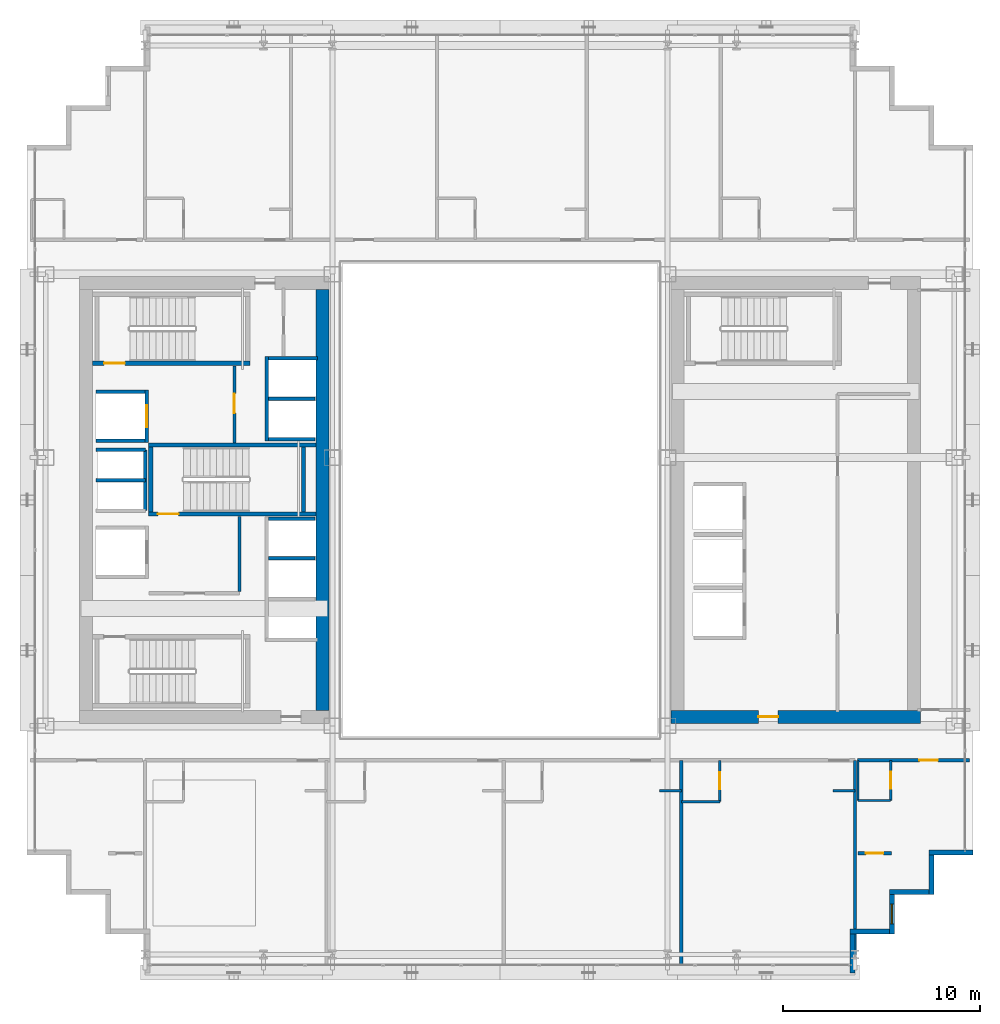
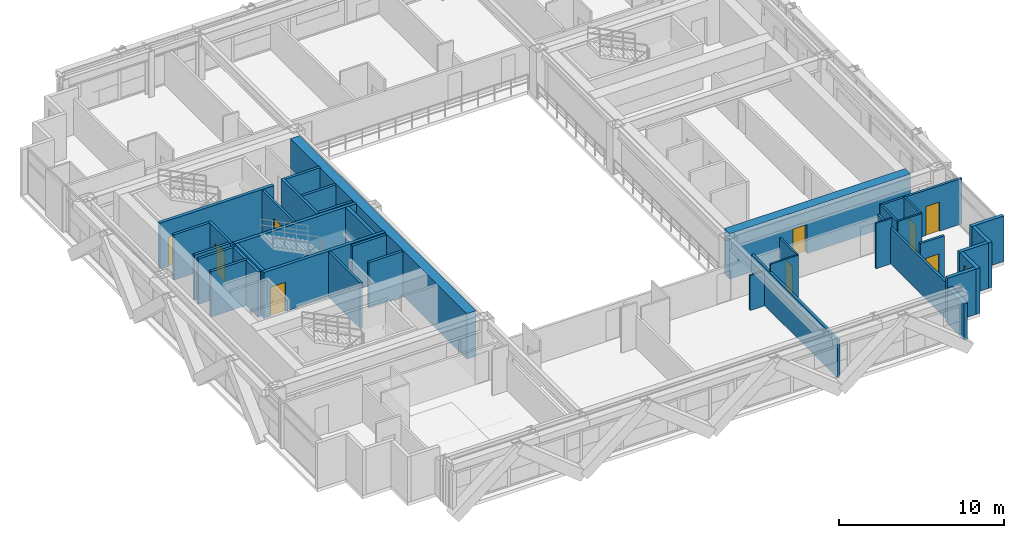
# One storey, part 28 of 34: 38 walls, 9 doors, 1 window, 10 openings.
"""IFC4 building model written with IfcOpenShell, lengths in metres."""

import ifcopenshell
import ifcopenshell.guid

model = None  # the IFC model being written
_history = None  # IfcOwnerHistory: only IFC2X3 demands one
_inside = {}  # id of a spatial element -> (the spatial element, [elements in it])
_under = {}  # id of a project, library or spatial element -> (it, [spatial elements below it])
_declared = {}  # id of a project -> (the project, [libraries it declares])
_typed = {}  # id of a type object -> (the type object, [elements of that type])
_made_of = {}  # id of a material, layer set ... -> (it, [elements and type objects made of it])


def new_model(schema):
    """Start an empty IFC model of exactly this schema.

    Asked for "IFC4X3", IfcOpenShell would pick the latest addendum, in which some entities
    have other attributes; the version numbers below select the first issue.
    IFC2X3 requires an IfcOwnerHistory on every rooted entity: one is made here for all.
    """
    global model, _history
    if schema == "IFC4X3":
        model = ifcopenshell.file(schema_version=(4, 3, 0, 0))
    else:
        model = ifcopenshell.file(schema=schema)
    _inside.clear()
    _under.clear()
    _declared.clear()
    _typed.clear()
    _made_of.clear()
    _history = None
    if model.schema == "IFC2X3":
        org = make("IfcOrganization", Name="unknown")
        user = make(
            "IfcPersonAndOrganization",
            ThePerson=make("IfcPerson", FamilyName="unknown"),
            TheOrganization=org,
        )
        app = make(
            "IfcApplication",
            ApplicationDeveloper=org,
            Version="unknown",
            ApplicationFullName="unknown",
            ApplicationIdentifier="unknown",
        )
        _history = make(
            "IfcOwnerHistory",
            OwningUser=user,
            OwningApplication=app,
            ChangeAction="ADDED",
            CreationDate=0,
        )
    return model


def make(cls, **values):
    """One entity of the class cls with the attributes given. An attribute that is None is left unset."""
    return model.create_entity(
        cls, **{name: value for name, value in values.items() if value is not None}
    )


def rooted(cls, **values):
    """An entity with a GlobalId (a new one), such as an element, a storey or a relation."""
    return make(cls, GlobalId=ifcopenshell.guid.new(), OwnerHistory=_history, **values)


def si_unit(unit_type, name, prefix=None):
    """IfcSIUnit, for example si_unit("LENGTHUNIT", "METRE", prefix="MILLI")."""
    return make("IfcSIUnit", UnitType=unit_type, Prefix=prefix, Name=name)


def assignment(units):
    """IfcUnitAssignment: the units of a project."""
    return None if units is None else make("IfcUnitAssignment", Units=units)


def point(xyz):
    """IfcCartesianPoint."""
    return None if xyz is None else make("IfcCartesianPoint", Coordinates=xyz)


def direction(xyz):
    """IfcDirection."""
    return None if xyz is None else make("IfcDirection", DirectionRatios=xyz)


def frame(location, z_axis=None, x_axis=None):
    """IfcAxis2Placement3D, a coordinate frame: its origin and axes. An axis left out is left unset."""
    return make(
        "IfcAxis2Placement3D",
        Location=point(location),
        Axis=direction(z_axis),
        RefDirection=direction(x_axis),
    )


def frame_2d(location, x_axis=None):
    """IfcAxis2Placement2D, a coordinate frame in the plane: its origin and x axis."""
    return make(
        "IfcAxis2Placement2D", Location=point(location), RefDirection=direction(x_axis)
    )


def origin():
    """The frame at (0, 0, 0) with its axes left unset."""
    return frame((0.0, 0.0, 0.0))


def place(relative_to, where):
    """IfcLocalPlacement: puts the frame where relative to a parent placement (None: the world)."""
    return make(
        "IfcLocalPlacement", PlacementRelTo=relative_to, RelativePlacement=where
    )


def context(
    kind, dimensions, precision=None, world=None, true_north=None, identifier=None
):
    """IfcGeometricRepresentationContext, for example the 3D "Model" context."""
    return make(
        "IfcGeometricRepresentationContext",
        ContextIdentifier=identifier,
        ContextType=kind,
        CoordinateSpaceDimension=dimensions,
        Precision=precision,
        WorldCoordinateSystem=world,
        TrueNorth=true_north,
    )


def subcontext(parent, identifier, kind, view, scale=None):
    """IfcGeometricRepresentationSubContext, for example "Body" below "Model"."""
    return make(
        "IfcGeometricRepresentationSubContext",
        ContextIdentifier=identifier,
        ContextType=kind,
        ParentContext=parent,
        TargetScale=scale,
        TargetView=view,
    )


def project(units=None, contexts=None):
    """IfcProject with its units and contexts."""
    return rooted(
        "IfcProject",
        Name="project",
        RepresentationContexts=contexts,
        UnitsInContext=assignment(units),
    )


def spatial(cls, under=None, at=None, **own):
    """A site, building, storey or space (cls), placed at a placement, below another one or the project."""
    s = rooted(cls, ObjectPlacement=at, **own)
    if under is not None:
        _under.setdefault(under.id(), (under, []))[1].append(s)
    return s


def profile(cls, at=None, kind="AREA", **sizes):
    """A parametric profile (cls). Its sizes go by their IFC names, for example OverallWidth=200.0."""
    return make(cls, ProfileType=kind, Position=at, **sizes)


def rectangle(**sizes):
    """IfcRectangleProfileDef."""
    return profile("IfcRectangleProfileDef", **sizes)


def extrude(swept, where, along, depth):
    """IfcExtrudedAreaSolid: the profile swept, set in the frame where, extruded along a direction by depth."""
    return make(
        "IfcExtrudedAreaSolid",
        SweptArea=swept,
        Position=where,
        ExtrudedDirection=direction(along),
        Depth=depth,
    )


def shape(context_of_items, identifier, shape_type, items):
    """IfcShapeRepresentation: the items that make up one representation, for example the "Body"."""
    return make(
        "IfcShapeRepresentation",
        ContextOfItems=context_of_items,
        RepresentationIdentifier=identifier,
        RepresentationType=shape_type,
        Items=items,
    )


def source(mapping_origin, context_of_items, identifier, shape_type, items):
    """IfcRepresentationMap: a shape defined once, which mapped items show again and again."""
    return make(
        "IfcRepresentationMap",
        MappingOrigin=mapping_origin,
        MappedRepresentation=shape(context_of_items, identifier, shape_type, items),
    )


def transform(
    local_origin,
    x_axis=None,
    y_axis=None,
    z_axis=None,
    scale=None,
    scale2=None,
    scale3=None,
    uniform=True,
):
    """IfcCartesianTransformationOperator3D, or its non-uniform kind. x_axis, y_axis, z_axis: its Axis1, 2, 3."""
    if uniform:
        return make(
            "IfcCartesianTransformationOperator3D",
            Axis1=direction(x_axis),
            Axis2=direction(y_axis),
            LocalOrigin=point(local_origin),
            Scale=scale,
            Axis3=direction(z_axis),
        )
    return make(
        "IfcCartesianTransformationOperator3DnonUniform",
        Axis1=direction(x_axis),
        Axis2=direction(y_axis),
        LocalOrigin=point(local_origin),
        Scale=scale,
        Axis3=direction(z_axis),
        Scale2=scale2,
        Scale3=scale3,
    )


def mapped(mapping_source, mapping_target):
    """IfcMappedItem: shows the shape of a source again, moved by a transform."""
    return make(
        "IfcMappedItem", MappingSource=mapping_source, MappingTarget=mapping_target
    )


def material(Name=None, Category=None):
    """IfcMaterial."""
    return make("IfcMaterial", Name=Name, Category=Category)


def layer(
    of_material, thickness, ventilated=None, Name=None, Category=None, Priority=None
):
    """IfcMaterialLayer: one layer of a wall or slab, of a material (None: an air gap)."""
    return make(
        "IfcMaterialLayer",
        Material=of_material,
        LayerThickness=thickness,
        IsVentilated=ventilated,
        Name=Name,
        Category=Category,
        Priority=Priority,
    )


def layer_set(layers, Name=None):
    """IfcMaterialLayerSet."""
    return make("IfcMaterialLayerSet", MaterialLayers=layers, LayerSetName=Name)


def made_of(thing, what):
    """Note that an element or type object is made of a material, layer set ...; save() writes the relation."""
    if what is not None:
        _made_of.setdefault(what.id(), (what, []))[1].append(thing)
    return thing


def type_object(cls, material=None, **own):
    """A type object (cls), such as IfcWallType, which elements share."""
    return made_of(rooted(cls, **own), material)


def element(
    cls,
    number,
    at=None,
    inside=None,
    cuts=None,
    type_object=None,
    material=None,
    context=None,
    identifier="Body",
    shape_type=None,
    held_by="IfcProductDefinitionShape",
    body=None,
    shapes=None,
    **own,
):
    """One element of the class cls, such as IfcWall. Its Tag is "e" and its number.

    at: its placement. inside: the storey or other place that contains it. cuts: it is an
    opening in that element (IfcRelVoidsElement). A single representation is given by context,
    identifier, shape_type and body (its items); several are given by shapes. held_by: the class
    of the entity that holds the representations. save() writes the other relations.
    """
    e = rooted(cls, Tag="e%d" % number, ObjectPlacement=at, **own)
    if body is not None:
        shapes = [shape(context, identifier, shape_type, body)]
    if shapes is not None:
        e.Representation = make(held_by, Representations=shapes)
    if inside is not None:
        _inside.setdefault(inside.id(), (inside, []))[1].append(e)
    if cuts is not None:
        rooted(
            "IfcRelVoidsElement", RelatingBuildingElement=cuts, RelatedOpeningElement=e
        )
    if type_object is not None:
        _typed.setdefault(type_object.id(), (type_object, []))[1].append(e)
    return made_of(e, material)


def fill(opening, filler):
    """IfcRelFillsElement: the door or window that sits in an opening."""
    return rooted(
        "IfcRelFillsElement",
        RelatingOpeningElement=opening,
        RelatedBuildingElement=filler,
    )


def aggregate(whole, parts):
    """IfcRelAggregates: a whole, such as a stair, and the parts it consists of."""
    return rooted("IfcRelAggregates", RelatingObject=whole, RelatedObjects=parts)


def save(model, path):
    """Write the relations noted so far, then the file.

    IfcRelAggregates (storeys below a building ...), IfcRelContainedInSpatialStructure (elements
    in a storey), IfcRelDefinesByType, IfcRelAssociatesMaterial and IfcRelDeclares: one each for
    every whole, place, type object, material and project.
    """
    for whole, parts in _under.values():
        aggregate(whole, parts)
    for where, things in _inside.values():
        rooted(
            "IfcRelContainedInSpatialStructure",
            RelatedElements=things,
            RelatingStructure=where,
        )
    for kind, things in _typed.values():
        rooted("IfcRelDefinesByType", RelatedObjects=things, RelatingType=kind)
    for what, things in _made_of.values():
        rooted("IfcRelAssociatesMaterial", RelatedObjects=things, RelatingMaterial=what)
    for by, libraries in _declared.values():
        rooted("IfcRelDeclares", RelatingContext=by, RelatedDefinitions=libraries)
    model.write(path)


model = new_model("IFC4")

# Units and contexts
model_context = context("Model", 3, precision=1e-05, world=origin(), true_north=direction((0.0, 1.0)))
body_context = subcontext(model_context, "Body", "Model", "MODEL_VIEW")
ifc_project = project(units=[si_unit("LENGTHUNIT", "METRE"), si_unit("AREAUNIT", "SQUARE_METRE"), si_unit("VOLUMEUNIT", "CUBIC_METRE"), si_unit("PLANEANGLEUNIT", "RADIAN"), si_unit("MASSUNIT", "GRAM", prefix="KILO")], contexts=[model_context])

# Site, building, storey
site_placement = place(None, origin())
site = spatial("IfcSite", under=ifc_project, at=site_placement, CompositionType="ELEMENT")
building_placement = place(site_placement, origin())
building = spatial("IfcBuilding", under=site, at=building_placement, Name="Ocotamira Hotel", CompositionType="ELEMENT")
storey_placement = place(building_placement, frame((0.0, 0.0, 111.60009765625)))
storey = spatial("IfcBuildingStorey", under=building, at=storey_placement, Name="L27", CompositionType="ELEMENT", Elevation=111.60009765625)

# Wall
ifc_material_1 = material(Name="Concrete C60/75", Category="concrete")
ifc_layer_1 = layer(ifc_material_1, 0.64990234375)
ifc_layer_set_1 = layer_set([ifc_layer_1], Name="Concrete C60/75")
wall_type_1 = type_object("IfcWallType", Name="WL-CORE-650", PredefinedType="SHEAR", material=ifc_layer_set_1)
wall_1_placement = place(storey_placement, frame((23.0, 15.324951171875, 0.0), z_axis=(0.0, 0.0, 1.0), x_axis=(0.0, 1.0, 0.0)))
element("IfcWall", 1, at=wall_1_placement, inside=storey, type_object=wall_type_1, Name="L27 Shear Core Wall WCORE-E", PredefinedType="SHEAR", context=body_context, shape_type="SweptSolid", body=[
    extrude(rectangle(XDim=21.35009765625, YDim=0.64990234375, at=frame_2d((10.675048828125, 0.0))), origin(), (0.0, 0.0, 1.0), 3.35986328125),
])

# Wall, opening, door
wall_2_placement = place(storey_placement, frame((40.675048828125, 15.0, 0.0), z_axis=(0.0, 0.0, 1.0), x_axis=(1.0, 0.0, 0.0)))
wall_2 = element("IfcWall", 2, at=wall_2_placement, inside=storey, type_object=wall_type_1, Name="L27 Shear Core Wall ECORE-S", PredefinedType="SHEAR", context=body_context, shape_type="SweptSolid", body=[
    extrude(rectangle(XDim=12.64990234375, YDim=0.64990234375, at=frame_2d((6.324951171875, 0.0))), origin(), (0.0, 0.0, 1.0), 3.35986328125),
])
opening_1_placement = place(wall_2_placement, frame((4.425048828125, 0.0, 0.0)))
opening_1 = element("IfcOpeningElement", 3, at=opening_1_placement, cuts=wall_2, Name="Opening D-FR2", PredefinedType="OPENING", context=body_context, shape_type="SweptSolid", body=[
    extrude(rectangle(XDim=1.0, YDim=2.14990234375, at=frame_2d((0.5, 1.074951171875))), frame((0.0, 0.3349609375, 0.0), z_axis=(0.0, -1.0, 0.0), x_axis=(1.0, 0.0, 0.0)), (0.0, 0.0, 1.0), 0.669921875),
])
ifc_material_2 = material(Name="Fire-rated acoustic timber-veneer door", Category="wood")
door_type_1 = type_object("IfcDoorType", Name="DR-FIRE-1000", OperationType="NOTDEFINED", PredefinedType="DOOR", material=ifc_material_2)
shared_shape_1 = source(origin(), body_context, "Body", "SweptSolid", [
    extrude(rectangle(XDim=1.0, YDim=2.14990234375, at=frame_2d((0.5, 1.074951171875))), frame((0.0, 0.02490234375, 0.0), z_axis=(0.0, -1.0, 0.0), x_axis=(1.0, 0.0, 0.0)), (0.0, 0.0, 1.0), 0.050048828125),
])
door_1_placement = place(opening_1_placement, origin())
door_1 = element("IfcDoor", 4, at=door_1_placement, inside=storey, type_object=door_type_1, Name="L27 Door ID-L27-ELOB-S-D [ID-L27-ELOB-S-D]", OperationType="SINGLE_SWING_RIGHT", OverallHeight=2.14990234375, OverallWidth=1.0, PredefinedType="DOOR", context=body_context, shape_type="MappedRepresentation", body=[
    mapped(shared_shape_1, transform((0.0, 0.0, 0.0), scale=1.0)),
])
fill(opening_1, door_1)

# Walls
ifc_material_3 = material(Name="Precast concrete C45/55", Category="concrete")
ifc_layer_2 = layer(ifc_material_3, 0.25)
ifc_layer_set_2 = layer_set([ifc_layer_2], Name="Precast concrete C45/55")
wall_type_2 = type_object("IfcWallType", Name="WL-EXT-SER-250", PredefinedType="SOLIDWALL", material=ifc_layer_set_2)
wall_3_placement = place(storey_placement, frame((49.875, 2.0, 0.0), z_axis=(0.0, 0.0, 1.0), x_axis=(0.0, 1.0, 0.0)))
element("IfcWall", 5, at=wall_3_placement, inside=storey, type_object=wall_type_2, Name="L27 Serrated Corner Wall 01", PredefinedType="SOLIDWALL", context=body_context, shape_type="SweptSolid", body=[
    extrude(rectangle(XDim=2.0, YDim=0.25, at=frame_2d((1.0, 0.0))), origin(), (0.0, 0.0, 1.0), 2.6669921875),
])
wall_4_placement = place(storey_placement, frame((49.75, 4.125, 0.0), z_axis=(0.0, 0.0, 1.0), x_axis=(1.0, 0.0, 0.0)))
element("IfcWall", 6, at=wall_4_placement, inside=storey, type_object=wall_type_2, Name="L27 Serrated Corner Wall 02", PredefinedType="SOLIDWALL", context=body_context, shape_type="SweptSolid", body=[
    extrude(rectangle(XDim=2.0, YDim=0.25, at=frame_2d((1.0, 0.0))), origin(), (0.0, 0.0, 1.0), 3.35986328125),
])

# Wall, opening, window
wall_5_placement = place(storey_placement, frame((51.875, 4.0, 0.0), z_axis=(0.0, 0.0, 1.0), x_axis=(0.0, 1.0, 0.0)))
wall_5 = element("IfcWall", 7, at=wall_5_placement, inside=storey, type_object=wall_type_2, Name="L27 Serrated Corner Wall 03", PredefinedType="SOLIDWALL", context=body_context, shape_type="SweptSolid", body=[
    extrude(rectangle(XDim=2.0, YDim=0.25, at=frame_2d((1.0, 0.0))), origin(), (0.0, 0.0, 1.0), 3.35986328125),
])
opening_2_placement = place(wall_5_placement, frame((0.5, 0.0, 0.85009765625)))
opening_2 = element("IfcOpeningElement", 8, at=opening_2_placement, cuts=wall_5, Name="Opening WN-2", PredefinedType="OPENING", context=body_context, shape_type="SweptSolid", body=[
    extrude(rectangle(XDim=1.0, YDim=1.89990234375, at=frame_2d((0.5, 0.949951171875))), frame((0.0, 0.135009765625, 0.0), z_axis=(0.0, -1.0, 0.0), x_axis=(1.0, 0.0, 0.0)), (0.0, 0.0, 1.0), 0.27001953125),
])
ifc_material_4 = material(Name="Double-silver low-E solar glass", Category="glass")
window_type = type_object("IfcWindowType", Name="WIN-SER-1100", PartitioningType="SINGLE_PANEL", PredefinedType="WINDOW", material=ifc_material_4)
shared_shape_2 = source(origin(), body_context, "Body", "SweptSolid", [
    extrude(rectangle(XDim=1.0, YDim=1.89990234375, at=frame_2d((0.5, 0.949951171875))), frame((0.0, 0.030029296875, 0.0), z_axis=(0.0, -1.0, 0.0), x_axis=(1.0, 0.0, 0.0)), (0.0, 0.0, 1.0), 0.06005859375),
])
window_placement = place(opening_2_placement, origin())
window = element("IfcWindow", 9, at=window_placement, inside=storey, type_object=window_type, Name="L27 Serrated Corner Window 03", OverallHeight=1.89990234375, OverallWidth=1.0, PartitioningType="SINGLE_PANEL", PredefinedType="WINDOW", context=body_context, shape_type="MappedRepresentation", body=[
    mapped(shared_shape_2, transform((0.0, 0.0, 0.0), scale=1.0)),
])
fill(opening_2, window)

# Walls
for number, where, z_axis, x_axis, name in (
    (10, (51.75, 6.125, 0.0), (0.0, 0.0, 1.0), (1.0, 0.0, 0.0), "L27 Serrated Corner Wall 04"),
    (11, (53.875, 6.0, 0.0), (0.0, 0.0, 1.0), (0.0, 1.0, 0.0), "L27 Serrated Corner Wall 05"),
):
    element("IfcWall", number, at=place(storey_placement, frame(where, z_axis=z_axis, x_axis=x_axis)), inside=storey, type_object=wall_type_2, Name=name, PredefinedType="SOLIDWALL", context=body_context, shape_type="SweptSolid", body=[
        extrude(rectangle(XDim=2.0, YDim=0.25, at=frame_2d((1.0, 0.0))), origin(), (0.0, 0.0, 1.0), 3.35986328125),
    ])
wall_6_placement = place(storey_placement, frame((53.75, 8.125, 0.0), z_axis=(0.0, 0.0, 1.0), x_axis=(1.0, 0.0, 0.0)))
element("IfcWall", 12, at=wall_6_placement, inside=storey, type_object=wall_type_2, Name="L27 Serrated Corner Wall 06", PredefinedType="SOLIDWALL", context=body_context, shape_type="SweptSolid", body=[
    extrude(rectangle(XDim=2.25, YDim=0.25, at=frame_2d((1.125, 0.0))), origin(), (0.0, 0.0, 1.0), 3.35986328125),
])
ifc_material_5 = material(Name="Acoustic double-layer fire gypsum board partition", Category="gypsum")
ifc_layer_3 = layer(ifc_material_5, 0.159912109375)
ifc_layer_set_3 = layer_set([ifc_layer_3], Name="Acoustic double-layer fire gypsum board partition")
wall_type_3 = type_object("IfcWallType", Name="WL-FIRE-160", PredefinedType="PARTITIONING", material=ifc_layer_set_3)
wall_7_placement = place(storey_placement, frame((18.780029296875, 21.35009765625, 0.0), z_axis=(0.0, 0.0, 1.0), x_axis=(0.0, 1.0, 0.0)))
element("IfcWall", 13, at=wall_7_placement, inside=storey, type_object=wall_type_3, Name="L27 Interior Wall PW-L27-FSAE1-E", PredefinedType="PARTITIONING", context=body_context, shape_type="SweptSolid", body=[
    extrude(rectangle(XDim=3.809814453125, YDim=0.159912109375, at=frame_2d((1.90478515625, 0.0))), origin(), (0.0, 0.0, 1.0), 3.35986328125),
])

# Wall, opening, door
wall_8_placement = place(storey_placement, frame((18.530029296875, 28.89990234375, 0.0), z_axis=(0.0, 0.0, 1.0), x_axis=(0.0, 1.0, 0.0)))
wall_8 = element("IfcWall", 14, at=wall_8_placement, inside=storey, type_object=wall_type_3, Name="L27 Interior Wall PW-L27-FSAE2-E", PredefinedType="PARTITIONING", context=body_context, shape_type="SweptSolid", body=[
    extrude(rectangle(XDim=3.900146484375, YDim=0.159912109375, at=frame_2d((1.9501953125, 0.0))), origin(), (0.0, 0.0, 1.0), 3.35986328125),
])
opening_3_placement = place(wall_8_placement, frame((1.5, 0.0, 0.0)))
opening_3 = element("IfcOpeningElement", 15, at=opening_3_placement, cuts=wall_8, Name="Opening D-FR2", PredefinedType="OPENING", context=body_context, shape_type="SweptSolid", body=[
    extrude(rectangle(XDim=1.0, YDim=2.14990234375, at=frame_2d((0.5, 1.074951171875))), frame((0.0, 0.08984375, 0.0), z_axis=(0.0, -1.0, 0.0), x_axis=(1.0, 0.0, 0.0)), (0.0, 0.0, 1.0), 0.179931640625),
])
door_2_placement = place(opening_3_placement, origin())
door_2 = element("IfcDoor", 16, at=door_2_placement, inside=storey, type_object=door_type_1, Name="L27 Door ID-L27-FSAE2-D [ID-L27-FSAE2-D]", OperationType="SINGLE_SWING_RIGHT", OverallHeight=2.14990234375, OverallWidth=1.0, PredefinedType="DOOR", context=body_context, shape_type="MappedRepresentation", body=[
    mapped(shared_shape_1, transform((0.0, 0.0, 0.0), scale=1.0)),
])
fill(opening_3, door_2)

wall_9_placement = place(storey_placement, frame((50.1201171875, 12.800048828125, 0.0), z_axis=(0.0, 0.0, 1.0), x_axis=(1.0, 0.0, 0.0)))
wall_9 = element("IfcWall", 17, at=wall_9_placement, inside=storey, type_object=wall_type_3, Name="L27 Interior Wall PW-L27-Z2B-CSE-CW", PredefinedType="PARTITIONING", context=body_context, shape_type="SweptSolid", body=[
    extrude(rectangle(XDim=5.679931640625, YDim=0.159912109375, at=frame_2d((2.83984375, 0.0))), origin(), (0.0, 0.0, 1.0), 3.35986328125),
])
opening_4_placement = place(wall_9_placement, frame((3.14990234375, 0.0, 0.0)))
opening_4 = element("IfcOpeningElement", 18, at=opening_4_placement, cuts=wall_9, Name="Opening D-GR1", PredefinedType="OPENING", context=body_context, shape_type="SweptSolid", body=[
    extrude(rectangle(XDim=0.93994140625, YDim=2.14990234375, at=frame_2d((0.469970703125, 1.074951171875))), frame((0.0, 0.08984375, 0.0), z_axis=(0.0, -1.0, 0.0), x_axis=(1.0, 0.0, 0.0)), (0.0, 0.0, 1.0), 0.179931640625),
])
ifc_material_6 = material(Name="Solid-core walnut suite entrance fire door", Category="wood")
door_type_2 = type_object("IfcDoorType", Name="DR-GUEST-940", OperationType="NOTDEFINED", PredefinedType="DOOR", material=ifc_material_6)
shared_shape_3 = source(origin(), body_context, "Body", "SweptSolid", [
    extrude(rectangle(XDim=0.93994140625, YDim=2.14990234375, at=frame_2d((0.469970703125, 1.074951171875))), frame((0.0, 0.02490234375, 0.0), z_axis=(0.0, -1.0, 0.0), x_axis=(1.0, 0.0, 0.0)), (0.0, 0.0, 1.0), 0.050048828125),
])
door_3_placement = place(opening_4_placement, origin())
door_3 = element("IfcDoor", 19, at=door_3_placement, inside=storey, type_object=door_type_2, Name="L27 Door ID-L27-Z2B-CSE-CD [ID-L27-Z2B-CSE-CD]", OperationType="SINGLE_SWING_RIGHT", OverallHeight=2.14990234375, OverallWidth=0.93994140625, PredefinedType="DOOR", context=body_context, shape_type="MappedRepresentation", body=[
    mapped(shared_shape_3, transform((0.0, 0.0, 0.0), scale=1.0)),
])
fill(opening_4, door_3)

wall_10_placement = place(storey_placement, frame((50.14990234375, 8.080078125, 0.0), z_axis=(0.0, 0.0, 1.0), x_axis=(1.0, 0.0, 0.0)))
wall_10 = element("IfcWall", 20, at=wall_10_placement, inside=storey, type_object=wall_type_3, Name="L27 Interior Wall PW-L27-Z2B-CSE2-CW", PredefinedType="PARTITIONING", context=body_context, shape_type="SweptSolid", body=[
    extrude(rectangle(XDim=1.7001953125, YDim=0.159912109375, at=frame_2d((0.85009765625, 0.0))), origin(), (0.0, 0.0, 1.0), 3.35986328125),
])
opening_5_placement = place(wall_10_placement, frame((0.409912109375, 0.0, 0.0)))
opening_5 = element("IfcOpeningElement", 21, at=opening_5_placement, cuts=wall_10, Name="Opening D-SV2", PredefinedType="OPENING", context=body_context, shape_type="SweptSolid", body=[
    extrude(rectangle(XDim=0.8798828125, YDim=2.14990234375, at=frame_2d((0.43994140625, 1.074951171875))), frame((0.0, 0.08984375, 0.0), z_axis=(0.0, -1.0, 0.0), x_axis=(1.0, 0.0, 0.0)), (0.0, 0.0, 1.0), 0.179931640625),
])
ifc_material_7 = material(Name="Fire-rated painted steel service door", Category="steel")
door_type_3 = type_object("IfcDoorType", Name="DR-SERV-880", OperationType="NOTDEFINED", PredefinedType="DOOR", material=ifc_material_7)
shared_shape_4 = source(origin(), body_context, "Body", "SweptSolid", [
    extrude(rectangle(XDim=0.8798828125, YDim=2.14990234375, at=frame_2d((0.43994140625, 1.074951171875))), frame((0.0, 0.02490234375, 0.0), z_axis=(0.0, -1.0, 0.0), x_axis=(1.0, 0.0, 0.0)), (0.0, 0.0, 1.0), 0.050048828125),
])
door_4_placement = place(opening_5_placement, origin())
door_4 = element("IfcDoor", 22, at=door_4_placement, inside=storey, type_object=door_type_3, Name="L27 Door ID-L27-Z2B-CSE2-CD [ID-L27-Z2B-CSE2-CD]", OperationType="SINGLE_SWING_LEFT", OverallHeight=2.14990234375, OverallWidth=0.8798828125, PredefinedType="DOOR", context=body_context, shape_type="MappedRepresentation", body=[
    mapped(shared_shape_4, transform((0.0, 0.0, 0.0), scale=1.0)),
])
fill(opening_5, door_4)

ifc_material_8 = material(Name="Moisture-resistant en-suite tile and gypsum partition", Category="gypsum")
ifc_layer_4 = layer(ifc_material_8, 0.1201171875)
ifc_layer_set_4 = layer_set([ifc_layer_4], Name="Moisture-resistant en-suite tile and gypsum partition")
wall_type_4 = type_object("IfcWallType", Name="WL-PART-120", PredefinedType="PARTITIONING", material=ifc_layer_set_4)
wall_11_placement = place(storey_placement, frame((51.81005859375, 10.760009765625, 0.0), z_axis=(0.0, 0.0, 1.0), x_axis=(0.0, 1.0, 0.0)))
wall_11 = element("IfcWall", 23, at=wall_11_placement, inside=storey, type_object=wall_type_4, Name="L27 Interior Wall PW-L27-Z2B-CSE-BE", PredefinedType="PARTITIONING", context=body_context, shape_type="SweptSolid", body=[
    extrude(rectangle(XDim=2.0400390625, YDim=0.1201171875, at=frame_2d((1.02001953125, 0.0))), origin(), (0.0, 0.0, 1.0), 3.35986328125),
])
opening_6_placement = place(wall_11_placement, frame((0.590087890625, 0.0, 0.0)))
opening_6 = element("IfcOpeningElement", 24, at=opening_6_placement, cuts=wall_11, Name="Opening D-BA1", PredefinedType="OPENING", context=body_context, shape_type="SweptSolid", body=[
    extrude(rectangle(XDim=0.860107421875, YDim=2.10009765625, at=frame_2d((0.43017578125, 1.050048828125))), frame((0.0, 0.070068359375, 0.0), z_axis=(0.0, -1.0, 0.0), x_axis=(1.0, 0.0, 0.0)), (0.0, 0.0, 1.0), 0.14013671875),
])
ifc_material_9 = material(Name="Moisture-sealed en-suite timber door", Category="wood")
door_type_4 = type_object("IfcDoorType", Name="DR-BATH-860", OperationType="NOTDEFINED", PredefinedType="DOOR", material=ifc_material_9)
shared_shape_5 = source(origin(), body_context, "Body", "SweptSolid", [
    extrude(rectangle(XDim=0.860107421875, YDim=2.10009765625, at=frame_2d((0.43017578125, 1.050048828125))), frame((0.0, 0.02490234375, 0.0), z_axis=(0.0, -1.0, 0.0), x_axis=(1.0, 0.0, 0.0)), (0.0, 0.0, 1.0), 0.050048828125),
])
door_5_placement = place(opening_6_placement, origin())
door_5 = element("IfcDoor", 25, at=door_5_placement, inside=storey, type_object=door_type_4, Name="L27 Door ID-L27-Z2B-CSE-BD [ID-L27-Z2B-CSE-BD]", OperationType="SINGLE_SWING_LEFT", OverallHeight=2.10009765625, OverallWidth=0.860107421875, PredefinedType="DOOR", context=body_context, shape_type="MappedRepresentation", body=[
    mapped(shared_shape_5, transform((0.0, 0.0, 0.0), scale=1.0)),
])
fill(opening_6, door_5)

# Walls
wall_12_placement = place(storey_placement, frame((50.159912109375, 10.760009765625, 0.0), z_axis=(0.0, 0.0, 1.0), x_axis=(0.0, 1.0, 0.0)))
element("IfcWall", 26, at=wall_12_placement, inside=storey, type_object=wall_type_4, Name="L27 Interior Wall PW-L27-Z2B-CSE-BW", PredefinedType="PARTITIONING", context=body_context, shape_type="SweptSolid", body=[
    extrude(rectangle(XDim=2.0400390625, YDim=0.1201171875, at=frame_2d((1.02001953125, 0.0))), origin(), (0.0, 0.0, 1.0), 3.35986328125),
])
wall_13_placement = place(storey_placement, frame((50.159912109375, 10.760009765625, 0.0), z_axis=(0.0, 0.0, 1.0), x_axis=(1.0, 0.0, 0.0)))
element("IfcWall", 27, at=wall_13_placement, inside=storey, type_object=wall_type_4, Name="L27 Interior Wall PW-L27-Z2B-CSE-BH", PredefinedType="PARTITIONING", context=body_context, shape_type="SweptSolid", body=[
    extrude(rectangle(XDim=1.650146484375, YDim=0.1201171875, at=frame_2d((0.8251953125, 0.0))), origin(), (0.0, 0.0, 1.0), 3.35986328125),
])
wall_14_placement = place(storey_placement, frame((40.10009765625, 11.25, 0.0), z_axis=(0.0, 0.0, 1.0), x_axis=(1.0, 0.0, 0.0)))
element("IfcWall", 28, at=wall_14_placement, inside=storey, type_object=wall_type_4, Name="L27 Interior Wall PW-L27-Z2BS-DRN3", PredefinedType="PARTITIONING", context=body_context, shape_type="SweptSolid", body=[
    extrude(rectangle(XDim=1.099853515625, YDim=0.1201171875, at=frame_2d((0.5498046875, 0.0))), origin(), (0.0, 0.0, 1.0), 2.580810546875),
])

# Wall, opening, door
wall_15_placement = place(storey_placement, frame((43.14990234375, 10.699951171875, 0.0), z_axis=(0.0, 0.0, 1.0), x_axis=(0.0, 1.0, 0.0)))
wall_15 = element("IfcWall", 29, at=wall_15_placement, inside=storey, type_object=wall_type_4, Name="L27 Interior Wall PW-L27-Z2BS-BAE4", PredefinedType="PARTITIONING", context=body_context, shape_type="SweptSolid", body=[
    extrude(rectangle(XDim=2.10009765625, YDim=0.1201171875, at=frame_2d((1.050048828125, 0.0))), origin(), (0.0, 0.0, 1.0), 3.35986328125),
])
opening_7_placement = place(wall_15_placement, frame((0.6201171875, 0.0, 0.0)))
opening_7 = element("IfcOpeningElement", 30, at=opening_7_placement, cuts=wall_15, Name="Opening D-BA1", PredefinedType="OPENING", context=body_context, shape_type="SweptSolid", body=[
    extrude(rectangle(XDim=0.860107421875, YDim=2.10009765625, at=frame_2d((0.43017578125, 1.050048828125))), frame((0.0, 0.070068359375, 0.0), z_axis=(0.0, -1.0, 0.0), x_axis=(1.0, 0.0, 0.0)), (0.0, 0.0, 1.0), 0.14013671875),
])
door_6_placement = place(opening_7_placement, origin())
door_6 = element("IfcDoor", 31, at=door_6_placement, inside=storey, type_object=door_type_4, Name="L27 Door ID-L27-Z2BS-BAD4 [ID-L27-Z2BS-BAD4]", OperationType="SINGLE_SWING_LEFT", OverallHeight=2.10009765625, OverallWidth=0.860107421875, PredefinedType="DOOR", context=body_context, shape_type="MappedRepresentation", body=[
    mapped(shared_shape_5, transform((0.0, 0.0, 0.0), scale=1.0)),
])
fill(opening_7, door_6)

# Walls
wall_16_placement = place(storey_placement, frame((41.199951171875, 10.699951171875, 0.0), z_axis=(0.0, 0.0, 1.0), x_axis=(1.0, 0.0, 0.0)))
element("IfcWall", 32, at=wall_16_placement, inside=storey, type_object=wall_type_4, Name="L27 Interior Wall PW-L27-Z2BS-BAS4", PredefinedType="PARTITIONING", context=body_context, shape_type="SweptSolid", body=[
    extrude(rectangle(XDim=1.949951171875, YDim=0.1201171875, at=frame_2d((0.97509765625, 0.0))), origin(), (0.0, 0.0, 1.0), 3.35986328125),
])
wall_17_placement = place(storey_placement, frame((48.89990234375, 11.25, 0.0), z_axis=(0.0, 0.0, 1.0), x_axis=(1.0, 0.0, 0.0)))
element("IfcWall", 33, at=wall_17_placement, inside=storey, type_object=wall_type_4, Name="L27 Interior Wall PW-L27-Z2BS-DRN4", PredefinedType="PARTITIONING", context=body_context, shape_type="SweptSolid", body=[
    extrude(rectangle(XDim=1.10009765625, YDim=0.1201171875, at=frame_2d((0.550048828125, 0.0))), origin(), (0.0, 0.0, 1.0), 3.35986328125),
])
ifc_material_10 = material(Name="Acoustic double-stud hospitality gypsum partition", Category="gypsum")
ifc_layer_5 = layer(ifc_material_10, 0.159912109375)
ifc_layer_set_5 = layer_set([ifc_layer_5], Name="Acoustic double-stud hospitality gypsum partition")
wall_type_5 = type_object("IfcWallType", Name="WL-PART-160", PredefinedType="PARTITIONING", material=ifc_layer_set_5)
wall_18_placement = place(storey_placement, frame((50.0, 2.360107421875, 0.0), z_axis=(0.0, 0.0, 1.0), x_axis=(0.0, 1.0, 0.0)))
element("IfcWall", 34, at=wall_18_placement, inside=storey, type_object=wall_type_5, Name="L27 Interior Wall PW-L27-Z2BS-PWEND", PredefinedType="PARTITIONING", context=body_context, shape_type="SweptSolid", body=[
    extrude(rectangle(XDim=10.43994140625, YDim=0.159912109375, at=frame_2d((5.219970703125, 0.0))), origin(), (0.0, 0.0, 1.0), 2.6669921875),
])
ifc_material_11 = material(Name="Double-stud suite party gypsum partition", Category="gypsum")
ifc_layer_6 = layer(ifc_material_11, 0.175048828125)
ifc_layer_set_6 = layer_set([ifc_layer_6], Name="Double-stud suite party gypsum partition")
wall_type_6 = type_object("IfcWallType", Name="WL-PART-175", PredefinedType="PARTITIONING", material=ifc_layer_set_6)
wall_19_placement = place(storey_placement, frame((41.199951171875, 2.360107421875, 0.0), z_axis=(0.0, 0.0, 1.0), x_axis=(0.0, 1.0, 0.0)))
element("IfcWall", 35, at=wall_19_placement, inside=storey, type_object=wall_type_6, Name="L27 Interior Wall PW-L27-Z2BS-PW3", PredefinedType="PARTITIONING", context=body_context, shape_type="SweptSolid", body=[
    extrude(rectangle(XDim=10.43994140625, YDim=0.175048828125, at=frame_2d((5.219970703125, 0.0))), origin(), (0.0, 0.0, 1.0), 2.822998046875),
])
ifc_material_12 = material(Name="Fire-rated gypsum shaftliner board assembly", Category="gypsum")
ifc_layer_7 = layer(ifc_material_12, 0.179931640625)
ifc_layer_set_7 = layer_set([ifc_layer_7], Name="Fire-rated gypsum shaftliner board assembly")
wall_type_7 = type_object("IfcWallType", Name="WL-SHAFT-180", PredefinedType="SOLIDWALL", material=ifc_layer_set_7)
for number, where, z_axis, x_axis, name in (
    (36, (20.25, 25.050048828125, 0.0), (0.0, 0.0, 1.0), (1.0, 0.0, 0.0), "L27 Interior Wall PW-L27-LFW-BANK-high-N"),
    (37, (20.25, 23.044921875, 0.0), (0.0, 0.0, 1.0), (1.0, 0.0, 0.0), "L27 Interior Wall PW-L27-LFW-DIV-LF-P8"),
):
    element("IfcWall", number, at=place(storey_placement, frame(where, z_axis=z_axis, x_axis=x_axis)), inside=storey, type_object=wall_type_7, Name=name, PredefinedType="SOLIDWALL", context=body_context, shape_type="SweptSolid", body=[
        extrude(rectangle(XDim=2.360107421875, YDim=0.179931640625, at=frame_2d((1.18017578125, 0.0))), origin(), (0.0, 0.0, 1.0), 3.35986328125),
    ])
wall_20_placement = place(storey_placement, frame((20.159912109375, 29.0, 0.0), z_axis=(0.0, 0.0, 1.0), x_axis=(0.0, 1.0, 0.0)))
element("IfcWall", 38, at=wall_20_placement, inside=storey, type_object=wall_type_7, Name="L27 Interior Wall PW-L27-LFW-BANK-obs-F", PredefinedType="SOLIDWALL", context=body_context, shape_type="SweptSolid", body=[
    extrude(rectangle(XDim=4.2900390625, YDim=0.179931640625, at=frame_2d((2.14501953125, 0.0))), origin(), (0.0, 0.0, 1.0), 3.35986328125),
])
wall_21_placement = place(storey_placement, frame((20.25, 29.090087890625, 0.0), z_axis=(0.0, 0.0, 1.0), x_axis=(1.0, 0.0, 0.0)))
element("IfcWall", 39, at=wall_21_placement, inside=storey, type_object=wall_type_7, Name="L27 Interior Wall PW-L27-LFW-BANK-obs-S", PredefinedType="SOLIDWALL", context=body_context, shape_type="SweptSolid", body=[
    extrude(rectangle(XDim=2.360107421875, YDim=0.179931640625, at=frame_2d((1.18017578125, 0.0))), origin(), (0.0, 0.0, 1.0), 3.35986328125),
])
wall_22_placement = place(storey_placement, frame((20.25, 33.199951171875, 0.0), z_axis=(0.0, 0.0, 1.0), x_axis=(1.0, 0.0, 0.0)))
element("IfcWall", 40, at=wall_22_placement, inside=storey, type_object=wall_type_7, Name="L27 Interior Wall PW-L27-LFW-BANK-obs-N", PredefinedType="SOLIDWALL", context=body_context, shape_type="SweptSolid", body=[
    extrude(rectangle(XDim=2.5, YDim=0.179931640625, at=frame_2d((1.25, 0.0))), origin(), (0.0, 0.0, 1.0), 3.35986328125),
])
wall_23_placement = place(storey_placement, frame((20.25, 31.14501953125, 0.0), z_axis=(0.0, 0.0, 1.0), x_axis=(1.0, 0.0, 0.0)))
element("IfcWall", 41, at=wall_23_placement, inside=storey, type_object=wall_type_7, Name="L27 Interior Wall PW-L27-LFW-DIV-LF-OBS1", PredefinedType="SOLIDWALL", context=body_context, shape_type="SweptSolid", body=[
    extrude(rectangle(XDim=2.360107421875, YDim=0.179931640625, at=frame_2d((1.18017578125, 0.0))), origin(), (0.0, 0.0, 1.0), 3.35986328125),
])
for number, where, z_axis, x_axis, name in (
    (42, (11.5, 29.010009765625, 0.0), (0.0, 0.0, 1.0), (1.0, 0.0, 0.0), "L27 Interior Wall PW-L27-LFW-LF-FSAE2-S"),
    (43, (11.5, 31.489990234375, 0.0), (0.0, 0.0, 1.0), (1.0, 0.0, 0.0), "L27 Interior Wall PW-L27-LFW-LF-FSAE2-N"),
):
    element("IfcWall", number, at=place(storey_placement, frame(where, z_axis=z_axis, x_axis=x_axis)), inside=storey, type_object=wall_type_7, Name=name, PredefinedType="SOLIDWALL", context=body_context, shape_type="SweptSolid", body=[
        extrude(rectangle(XDim=2.5, YDim=0.179931640625, at=frame_2d((1.25, 0.0))), origin(), (0.0, 0.0, 1.0), 3.35986328125),
    ])

# Wall, opening, door
wall_24_placement = place(storey_placement, frame((14.090087890625, 28.919921875, 0.0), z_axis=(0.0, 0.0, 1.0), x_axis=(0.0, 1.0, 0.0)))
wall_24 = element("IfcWall", 44, at=wall_24_placement, inside=storey, type_object=wall_type_7, Name="L27 Interior Wall PW-L27-LFW-LF-FSAE2-E", PredefinedType="SOLIDWALL", context=body_context, shape_type="SweptSolid", body=[
    extrude(rectangle(XDim=2.66015625, YDim=0.179931640625, at=frame_2d((1.330078125, 0.0))), origin(), (0.0, 0.0, 1.0), 3.35986328125),
])
opening_8_placement = place(wall_24_placement, frame((0.780029296875, 0.0, 0.0)))
opening_8 = element("IfcOpeningElement", 45, at=opening_8_placement, cuts=wall_24, Name="Opening LD-LF-FSAE2", PredefinedType="OPENING", context=body_context, shape_type="SweptSolid", body=[
    extrude(rectangle(XDim=1.10009765625, YDim=2.199951171875, at=frame_2d((0.550048828125, 1.10009765625))), frame((0.0, 0.10009765625, 0.0), z_axis=(0.0, -1.0, 0.0), x_axis=(1.0, 0.0, 0.0)), (0.0, 0.0, 1.0), 0.199951171875),
])
ifc_material_13 = material(Name="Brushed pale-metal stainless elevator landing door", Category="steel")
door_type_5 = type_object("IfcDoorType", Name="DR-LIFT-1100", OperationType="NOTDEFINED", PredefinedType="DOOR", material=ifc_material_13)
shared_shape_6 = source(origin(), body_context, "Body", "SweptSolid", [
    extrude(rectangle(XDim=1.10009765625, YDim=2.199951171875, at=frame_2d((0.550048828125, 1.10009765625))), frame((0.0, 0.02490234375, 0.0), z_axis=(0.0, -1.0, 0.0), x_axis=(1.0, 0.0, 0.0)), (0.0, 0.0, 1.0), 0.050048828125),
])
door_7_placement = place(opening_8_placement, origin())
door_7 = element("IfcDoor", 46, at=door_7_placement, inside=storey, type_object=door_type_5, Name="L27 Landing Door LD-LF-FSAE2 [ID-L27-LD-LF-FSAE2]", OperationType="DOUBLE_DOOR_SLIDING", OverallHeight=2.199951171875, OverallWidth=1.10009765625, PredefinedType="DOOR", context=body_context, shape_type="MappedRepresentation", body=[
    mapped(shared_shape_6, transform((0.0, 0.0, 0.0), scale=1.0)),
])
fill(opening_8, door_7)

# Walls
for number, where, z_axis, x_axis, name in (
    (47, (11.5, 27.0, 0.0), (0.0, 0.0, 1.0), (1.0, 0.0, 0.0), "L27 Interior Wall PW-L27-RSW-MID"),
    (48, (11.5, 28.5400390625, 0.0), (0.0, 0.0, 1.0), (1.0, 0.0, 0.0), "L27 Interior Wall PW-L27-RSW-N"),
):
    element("IfcWall", number, at=place(storey_placement, frame(where, z_axis=z_axis, x_axis=x_axis)), inside=storey, type_object=wall_type_7, Name=name, PredefinedType="SOLIDWALL", context=body_context, shape_type="SweptSolid", body=[
        extrude(rectangle(XDim=2.510009765625, YDim=0.179931640625, at=frame_2d((1.2548828125, 0.0))), origin(), (0.0, 0.0, 1.0), 3.35986328125),
    ])
wall_25_placement = place(storey_placement, frame((14.010009765625, 25.4599609375, 0.0), z_axis=(0.0, 0.0, 1.0), x_axis=(0.0, 1.0, 0.0)))
element("IfcWall", 49, at=wall_25_placement, inside=storey, type_object=wall_type_7, Name="L27 Interior Wall PW-L27-RSW-E", PredefinedType="SOLIDWALL", context=body_context, shape_type="SweptSolid", body=[
    extrude(rectangle(XDim=3.080078125, YDim=0.179931640625, at=frame_2d((1.5400390625, 0.0))), origin(), (0.0, 0.0, 1.0), 3.35986328125),
])

# Wall, opening, door
ifc_material_14 = material(Name="Concrete C50/60", Category="concrete")
ifc_layer_8 = layer(ifc_material_14, 0.219970703125)
ifc_layer_set_8 = layer_set([ifc_layer_8], Name="Concrete C50/60")
wall_type_8 = type_object("IfcWallType", Name="WL-STAIR-220", PredefinedType="SHEAR", material=ifc_layer_set_8)
wall_26_placement = place(storey_placement, frame((11.324951171875, 32.93994140625, 0.0), z_axis=(0.0, 0.0, 1.0), x_axis=(1.0, 0.0, 0.0)))
wall_26 = element("IfcWall", 50, at=wall_26_placement, inside=storey, type_object=wall_type_8, Name="L27 Stair Shaft Structural Wall ST-2-S", PredefinedType="SHEAR", context=body_context, shape_type="SweptSolid", body=[
    extrude(rectangle(XDim=7.985107421875, YDim=0.219970703125, at=frame_2d((3.99267578125, 0.0))), origin(), (0.0, 0.0, 1.0), 3.39990234375),
])
opening_9_placement = place(wall_26_placement, frame((0.594970703125, 0.0, 0.0)))
opening_9 = element("IfcOpeningElement", 51, at=opening_9_placement, cuts=wall_26, Name="Opening D-ST2", PredefinedType="OPENING", context=body_context, shape_type="SweptSolid", body=[
    extrude(rectangle(XDim=1.050048828125, YDim=2.14990234375, at=frame_2d((0.52490234375, 1.074951171875))), frame((0.0, 0.1201171875, 0.0), z_axis=(0.0, -1.0, 0.0), x_axis=(1.0, 0.0, 0.0)), (0.0, 0.0, 1.0), 0.239990234375),
])
ifc_material_15 = material(Name="Insulated painted hollow-metal fire exit door", Category="steel")
door_type_6 = type_object("IfcDoorType", Name="DR-STAIR-1050", OperationType="NOTDEFINED", PredefinedType="DOOR", material=ifc_material_15)
shared_shape_7 = source(origin(), body_context, "Body", "SweptSolid", [
    extrude(rectangle(XDim=1.050048828125, YDim=2.14990234375, at=frame_2d((0.52490234375, 1.074951171875))), frame((0.0, 0.02490234375, 0.0), z_axis=(0.0, -1.0, 0.0), x_axis=(1.0, 0.0, 0.0)), (0.0, 0.0, 1.0), 0.050048828125),
])
door_8_placement = place(opening_9_placement, origin())
door_8 = element("IfcDoor", 52, at=door_8_placement, inside=storey, type_object=door_type_6, Name="L27 Door ID-L27-STD-ST-2 [ID-L27-STD-ST-2]", OperationType="SINGLE_SWING_LEFT", OverallHeight=2.14990234375, OverallWidth=1.050048828125, PredefinedType="DOOR", context=body_context, shape_type="MappedRepresentation", body=[
    mapped(shared_shape_7, transform((0.0, 0.0, 0.0), scale=1.0)),
])
fill(opening_9, door_8)

wall_27_placement = place(storey_placement, frame((14.179931640625, 25.2900390625, 0.0), z_axis=(0.0, 0.0, 1.0), x_axis=(1.0, 0.0, 0.0)))
wall_27 = element("IfcWall", 53, at=wall_27_placement, inside=storey, type_object=wall_type_8, Name="L27 Stair Shaft Structural Wall ST-3-S", PredefinedType="SHEAR", context=body_context, shape_type="SweptSolid", body=[
    extrude(rectangle(XDim=8.4951171875, YDim=0.219970703125, at=frame_2d((4.24755859375, 0.0))), origin(), (0.0, 0.0, 1.0), 3.39990234375),
])
opening_10_placement = place(wall_27_placement, frame((0.469970703125, 0.0, 0.0)))
opening_10 = element("IfcOpeningElement", 54, at=opening_10_placement, cuts=wall_27, Name="Opening D-ST2", PredefinedType="OPENING", context=body_context, shape_type="SweptSolid", body=[
    extrude(rectangle(XDim=1.050048828125, YDim=2.14990234375, at=frame_2d((0.52490234375, 1.074951171875))), frame((0.0, 0.1201171875, 0.0), z_axis=(0.0, -1.0, 0.0), x_axis=(1.0, 0.0, 0.0)), (0.0, 0.0, 1.0), 0.239990234375),
])
door_9_placement = place(opening_10_placement, origin())
door_9 = element("IfcDoor", 55, at=door_9_placement, inside=storey, type_object=door_type_6, Name="L27 Door ID-L27-STD-ST-3 [ID-L27-STD-ST-3]", OperationType="SINGLE_SWING_RIGHT", OverallHeight=2.14990234375, OverallWidth=1.050048828125, PredefinedType="DOOR", context=body_context, shape_type="MappedRepresentation", body=[
    mapped(shared_shape_7, transform((0.0, 0.0, 0.0), scale=1.0)),
])
fill(opening_10, door_9)

# Walls
wall_28_placement = place(storey_placement, frame((14.179931640625, 28.7900390625, 0.0), z_axis=(0.0, 0.0, 1.0), x_axis=(1.0, 0.0, 0.0)))
element("IfcWall", 56, at=wall_28_placement, inside=storey, type_object=wall_type_8, Name="L27 Stair Shaft Structural Wall ST-3-N", PredefinedType="SHEAR", context=body_context, shape_type="SweptSolid", body=[
    extrude(rectangle(XDim=8.4951171875, YDim=0.219970703125, at=frame_2d((4.24755859375, 0.0))), origin(), (0.0, 0.0, 1.0), 3.39990234375),
])
for number, where, z_axis, x_axis, name in (
    (57, (14.2900390625, 25.39990234375, 0.0), (0.0, 0.0, 1.0), (0.0, 1.0, 0.0), "L27 Stair Shaft Structural Wall ST-3-W"),
    (58, (22.030029296875, 25.39990234375, 0.0), (0.0, 0.0, 1.0), (0.0, 1.0, 0.0), "L27 Stair Shaft Structural Wall ST-3-E"),
):
    element("IfcWall", number, at=place(storey_placement, frame(where, z_axis=z_axis, x_axis=x_axis)), inside=storey, type_object=wall_type_8, Name=name, PredefinedType="SHEAR", context=body_context, shape_type="SweptSolid", body=[
        extrude(rectangle(XDim=3.280029296875, YDim=0.219970703125, at=frame_2d((1.64013671875, 0.0))), origin(), (0.0, 0.0, 1.0), 3.39990234375),
    ])

save(model, "model.ifc")
